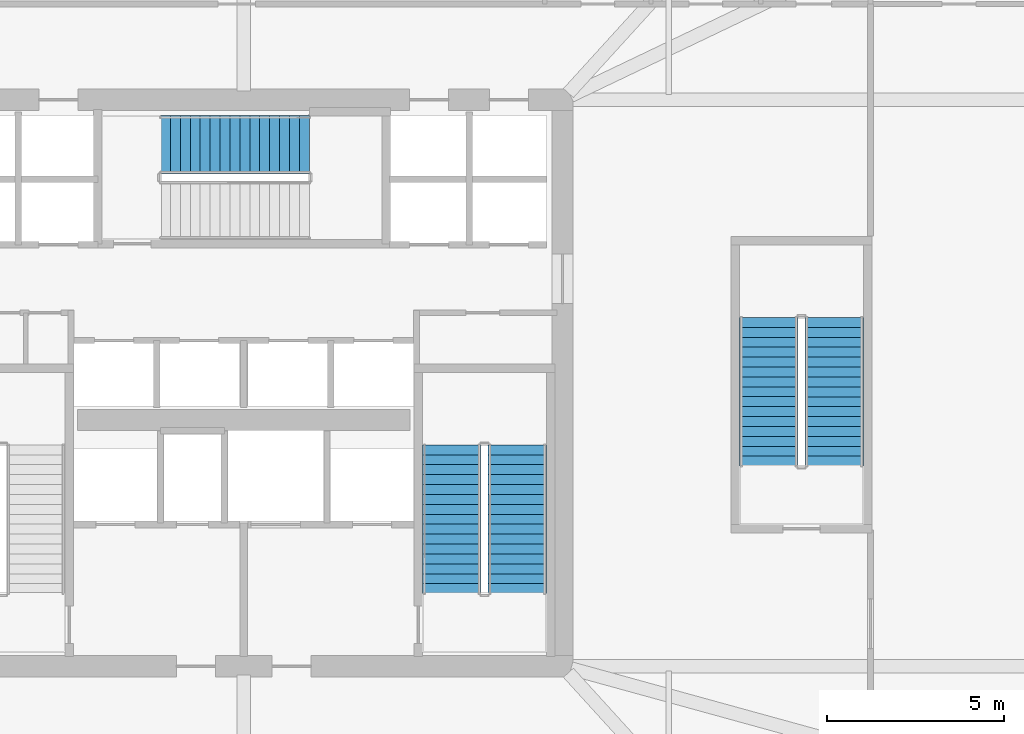
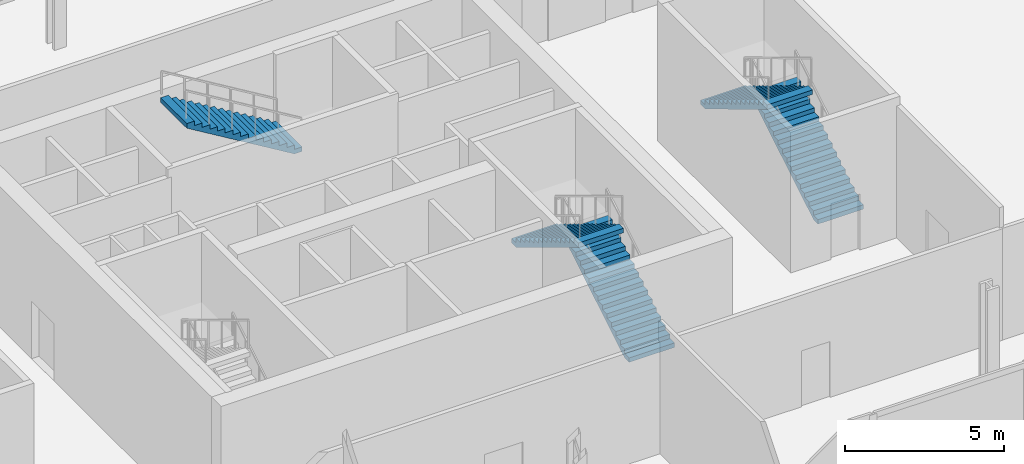
# One storey, part 14 of 20: 5 stair flights, 3 elements without a shape of their own.
"""IFC4 building model written with IfcOpenShell, lengths in metres."""

from ifc_helpers import new_model, si_unit, direction, frame, origin, place, context, subcontext, project, spatial, polyline, outline, extrude, material, type_object, element, aggregate, save


model = new_model("IFC4")

# Units and contexts
model_context = context("Model", 3, precision=1e-05, world=origin(), true_north=direction((0.0, 1.0)))
body_context = subcontext(model_context, "Body", "Model", "MODEL_VIEW")
ifc_project = project(units=[si_unit("LENGTHUNIT", "METRE"), si_unit("AREAUNIT", "SQUARE_METRE"), si_unit("VOLUMEUNIT", "CUBIC_METRE"), si_unit("PLANEANGLEUNIT", "RADIAN"), si_unit("MASSUNIT", "GRAM", prefix="KILO")], contexts=[model_context])

# Site, building, storey
site_placement = place(None, origin())
site = spatial("IfcSite", under=ifc_project, at=site_placement, CompositionType="ELEMENT")
building_placement = place(site_placement, origin())
building = spatial("IfcBuilding", under=site, at=building_placement, Name="Haldenkirk Collegiate Tower", CompositionType="ELEMENT")
storey_placement = place(building_placement, frame((0.0, 0.0, 11.39990234375)))
storey = spatial("IfcBuildingStorey", under=building, at=storey_placement, Name="L02", CompositionType="ELEMENT", Elevation=11.39990234375)

# Stair, stair flights
ifc_material = material(Name="Concrete f'c 40 MPa", Category="concrete")
stair_type = type_object("IfcStairType", Name="STR-DOGLEG-1650", PredefinedType="HALF_TURN_STAIR", material=ifc_material)
stair_1_placement = place(storey_placement, origin())
stair_1 = element("IfcStair", 1, at=stair_1_placement, inside=storey, type_object=stair_type, Name="L02 Core Exit Stair ST-2", PredefinedType="HALF_TURN_STAIR")
stair_flight_type = type_object("IfcStairFlightType", Name="STF-FLIGHT-1650", PredefinedType="STRAIGHT", material=ifc_material)
stair_flight_1_placement = place(storey_placement, frame((43.72509765625, 20.050048828125, 0.0), z_axis=(0.0, 0.0, 1.0), x_axis=(0.0, 1.0, 0.0)))
stair_flight_1 = element("IfcStairFlight", 2, at=stair_flight_1_placement, type_object=stair_flight_type, Name="ST-2 flight 1", NumberOfRisers=16, NumberOfTreads=15, PredefinedType="STRAIGHT", RiserHeight=0.16875, TreadLength=0.28, context=body_context, shape_type="SweptSolid", body=[
    extrude(outline(polyline([(0.0, 0.0), (0.0, 0.168701171875), (0.280029296875, 0.168701171875), (0.280029296875, 0.33740234375), (0.56005859375, 0.33740234375), (0.56005859375, 0.50634765625), (0.840087890625, 0.50634765625), (0.840087890625, 0.675048828125), (1.1201171875, 0.675048828125), (1.1201171875, 0.84375), (1.39990234375, 0.84375), (1.39990234375, 1.012451171875), (1.679931640625, 1.012451171875), (1.679931640625, 1.18115234375), (1.9599609375, 1.18115234375), (1.9599609375, 1.35009765625), (2.239990234375, 1.35009765625), (2.239990234375, 1.518798828125), (2.52001953125, 1.518798828125), (2.52001953125, 1.6875), (2.800048828125, 1.6875), (2.800048828125, 1.856201171875), (3.080078125, 1.856201171875), (3.080078125, 2.02490234375), (3.360107421875, 2.02490234375), (3.360107421875, 2.19384765625), (3.639892578125, 2.19384765625), (3.639892578125, 2.362548828125), (3.919921875, 2.362548828125), (3.919921875, 2.53125), (4.199951171875, 2.53125), (4.199951171875, 2.699951171875), (4.199951171875, 2.356201171875), (0.29052734375, 0.0), (0.0, 0.0)])), frame((0.0, 0.824951171875, 0.0), z_axis=(0.0, -1.0, 0.0), x_axis=(1.0, 0.0, 0.0)), (0.0, 0.0, 1.0), 1.64990234375),
])
stair_flight_2_placement = place(storey_placement, frame((41.875, 24.25, 2.7001953125), z_axis=(0.0, 0.0, 1.0), x_axis=(0.0, -1.0, 0.0)))
stair_flight_2 = element("IfcStairFlight", 3, at=stair_flight_2_placement, type_object=stair_flight_type, Name="ST-2 flight 2", NumberOfRisers=16, NumberOfTreads=15, PredefinedType="STRAIGHT", RiserHeight=0.16875, TreadLength=0.28, context=body_context, shape_type="SweptSolid", body=[
    extrude(outline(polyline([(0.0, 0.0), (0.0, 0.168701171875), (0.280029296875, 0.168701171875), (0.280029296875, 0.33740234375), (0.56005859375, 0.33740234375), (0.56005859375, 0.50634765625), (0.840087890625, 0.50634765625), (0.840087890625, 0.675048828125), (1.1201171875, 0.675048828125), (1.1201171875, 0.84375), (1.39990234375, 0.84375), (1.39990234375, 1.012451171875), (1.679931640625, 1.012451171875), (1.679931640625, 1.18115234375), (1.9599609375, 1.18115234375), (1.9599609375, 1.35009765625), (2.239990234375, 1.35009765625), (2.239990234375, 1.518798828125), (2.52001953125, 1.518798828125), (2.52001953125, 1.6875), (2.800048828125, 1.6875), (2.800048828125, 1.856201171875), (3.080078125, 1.856201171875), (3.080078125, 2.02490234375), (3.360107421875, 2.02490234375), (3.360107421875, 2.19384765625), (3.639892578125, 2.19384765625), (3.639892578125, 2.362548828125), (3.919921875, 2.362548828125), (3.919921875, 2.53125), (4.199951171875, 2.53125), (4.199951171875, 2.699951171875), (4.199951171875, 2.356201171875), (0.29052734375, 0.0), (0.0, 0.0)])), frame((0.0, 0.824951171875, 0.0), z_axis=(0.0, -1.0, 0.0), x_axis=(1.0, 0.0, 0.0)), (0.0, 0.0, 1.0), 1.64990234375),
])
aggregate(stair_1, [stair_flight_1, stair_flight_2])

# Stair, stair flight
stair_2_placement = place(storey_placement, origin())
stair_2 = element("IfcStair", 4, at=stair_2_placement, inside=storey, type_object=stair_type, Name="L02 Core Exit Stair ST-3", PredefinedType="HALF_TURN_STAIR")
stair_flight_3_placement = place(storey_placement, frame((37.85009765625, 32.72509765625, 2.7001953125), z_axis=(0.0, 0.0, 1.0), x_axis=(-1.0, 0.0, 0.0)))
stair_flight_3 = element("IfcStairFlight", 5, at=stair_flight_3_placement, type_object=stair_flight_type, Name="ST-3 flight 2", NumberOfRisers=16, NumberOfTreads=15, PredefinedType="STRAIGHT", RiserHeight=0.16875, TreadLength=0.28, context=body_context, shape_type="SweptSolid", body=[
    extrude(outline(polyline([(0.0, 0.0), (0.0, 0.168701171875), (0.280029296875, 0.168701171875), (0.280029296875, 0.33740234375), (0.56005859375, 0.33740234375), (0.56005859375, 0.50634765625), (0.840087890625, 0.50634765625), (0.840087890625, 0.675048828125), (1.1201171875, 0.675048828125), (1.1201171875, 0.84375), (1.39990234375, 0.84375), (1.39990234375, 1.012451171875), (1.679931640625, 1.012451171875), (1.679931640625, 1.18115234375), (1.9599609375, 1.18115234375), (1.9599609375, 1.35009765625), (2.239990234375, 1.35009765625), (2.239990234375, 1.518798828125), (2.52001953125, 1.518798828125), (2.52001953125, 1.6875), (2.800048828125, 1.6875), (2.800048828125, 1.856201171875), (3.080078125, 1.856201171875), (3.080078125, 2.02490234375), (3.360107421875, 2.02490234375), (3.360107421875, 2.19384765625), (3.639892578125, 2.19384765625), (3.639892578125, 2.362548828125), (3.919921875, 2.362548828125), (3.919921875, 2.53125), (4.199951171875, 2.53125), (4.199951171875, 2.699951171875), (4.199951171875, 2.356201171875), (0.29052734375, 0.0), (0.0, 0.0)])), frame((0.0, 0.824951171875, 0.0), z_axis=(0.0, -1.0, 0.0), x_axis=(1.0, 0.0, 0.0)), (0.0, 0.0, 1.0), 1.64990234375),
])
aggregate(stair_2, [stair_flight_3])

# Stair, stair flights
stair_3_placement = place(storey_placement, origin())
stair_3 = element("IfcStair", 6, at=stair_3_placement, inside=storey, type_object=stair_type, Name="L02 Podium Exit Stair ST-5", PredefinedType="HALF_TURN_STAIR")
stair_flight_4_placement = place(storey_placement, frame((52.675048828125, 23.64990234375, 0.0), z_axis=(0.0, 0.0, 1.0), x_axis=(0.0, 1.0, 0.0)))
stair_flight_4 = element("IfcStairFlight", 7, at=stair_flight_4_placement, type_object=stair_flight_type, Name="ST-5 flight 1", NumberOfRisers=16, NumberOfTreads=15, PredefinedType="STRAIGHT", RiserHeight=0.16875, TreadLength=0.28, context=body_context, shape_type="SweptSolid", body=[
    extrude(outline(polyline([(0.0, 0.0), (0.0, 0.168701171875), (0.280029296875, 0.168701171875), (0.280029296875, 0.33740234375), (0.56005859375, 0.33740234375), (0.56005859375, 0.50634765625), (0.840087890625, 0.50634765625), (0.840087890625, 0.675048828125), (1.1201171875, 0.675048828125), (1.1201171875, 0.84375), (1.39990234375, 0.84375), (1.39990234375, 1.012451171875), (1.679931640625, 1.012451171875), (1.679931640625, 1.18115234375), (1.9599609375, 1.18115234375), (1.9599609375, 1.35009765625), (2.239990234375, 1.35009765625), (2.239990234375, 1.518798828125), (2.52001953125, 1.518798828125), (2.52001953125, 1.6875), (2.800048828125, 1.6875), (2.800048828125, 1.856201171875), (3.080078125, 1.856201171875), (3.080078125, 2.02490234375), (3.360107421875, 2.02490234375), (3.360107421875, 2.19384765625), (3.639892578125, 2.19384765625), (3.639892578125, 2.362548828125), (3.919921875, 2.362548828125), (3.919921875, 2.53125), (4.199951171875, 2.53125), (4.199951171875, 2.699951171875), (4.199951171875, 2.356201171875), (0.29052734375, 0.0), (0.0, 0.0)])), frame((0.0, 0.824951171875, 0.0), z_axis=(0.0, -1.0, 0.0), x_axis=(1.0, 0.0, 0.0)), (0.0, 0.0, 1.0), 1.64990234375),
])
stair_flight_5_placement = place(storey_placement, frame((50.824951171875, 27.85009765625, 2.7001953125), z_axis=(0.0, 0.0, 1.0), x_axis=(0.0, -1.0, 0.0)))
stair_flight_5 = element("IfcStairFlight", 8, at=stair_flight_5_placement, type_object=stair_flight_type, Name="ST-5 flight 2", NumberOfRisers=16, NumberOfTreads=15, PredefinedType="STRAIGHT", RiserHeight=0.16875, TreadLength=0.28, context=body_context, shape_type="SweptSolid", body=[
    extrude(outline(polyline([(0.0, 0.0), (0.0, 0.168701171875), (0.280029296875, 0.168701171875), (0.280029296875, 0.33740234375), (0.56005859375, 0.33740234375), (0.56005859375, 0.50634765625), (0.840087890625, 0.50634765625), (0.840087890625, 0.675048828125), (1.1201171875, 0.675048828125), (1.1201171875, 0.84375), (1.39990234375, 0.84375), (1.39990234375, 1.012451171875), (1.679931640625, 1.012451171875), (1.679931640625, 1.18115234375), (1.9599609375, 1.18115234375), (1.9599609375, 1.35009765625), (2.239990234375, 1.35009765625), (2.239990234375, 1.518798828125), (2.52001953125, 1.518798828125), (2.52001953125, 1.6875), (2.800048828125, 1.6875), (2.800048828125, 1.856201171875), (3.080078125, 1.856201171875), (3.080078125, 2.02490234375), (3.360107421875, 2.02490234375), (3.360107421875, 2.19384765625), (3.639892578125, 2.19384765625), (3.639892578125, 2.362548828125), (3.919921875, 2.362548828125), (3.919921875, 2.53125), (4.199951171875, 2.53125), (4.199951171875, 2.699951171875), (4.199951171875, 2.356201171875), (0.29052734375, 0.0), (0.0, 0.0)])), frame((0.0, 0.824951171875, 0.0), z_axis=(0.0, -1.0, 0.0), x_axis=(1.0, 0.0, 0.0)), (0.0, 0.0, 1.0), 1.64990234375),
])
aggregate(stair_3, [stair_flight_4, stair_flight_5])

save(model, "model.ifc")
